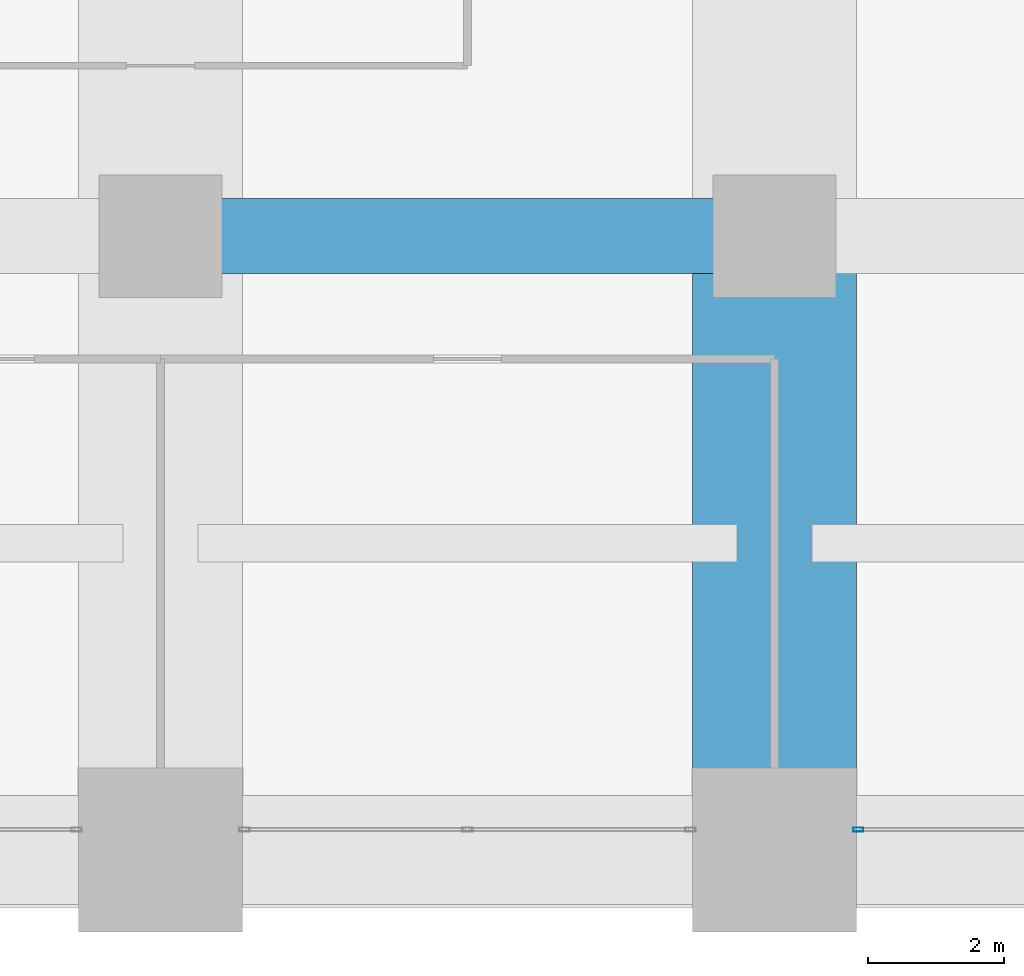
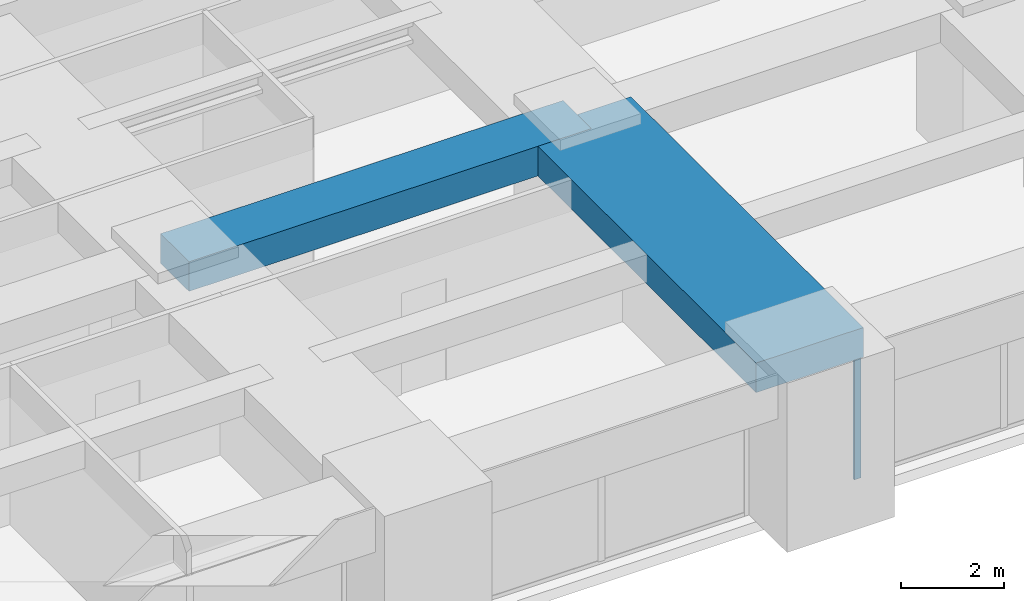
# One storey, part 7 of 43: 2 beams, 1 member, 1 element without a shape of its own.
"""IFC4 building model written with IfcOpenShell, lengths in metres."""

import ifcopenshell
import ifcopenshell.guid

model = None  # the IFC model being written
_history = None  # IfcOwnerHistory: only IFC2X3 demands one
_inside = {}  # id of a spatial element -> (the spatial element, [elements in it])
_under = {}  # id of a project, library or spatial element -> (it, [spatial elements below it])
_declared = {}  # id of a project -> (the project, [libraries it declares])
_typed = {}  # id of a type object -> (the type object, [elements of that type])
_made_of = {}  # id of a material, layer set ... -> (it, [elements and type objects made of it])


def new_model(schema):
    """Start an empty IFC model of exactly this schema.

    Asked for "IFC4X3", IfcOpenShell would pick the latest addendum, in which some entities
    have other attributes; the version numbers below select the first issue.
    IFC2X3 requires an IfcOwnerHistory on every rooted entity: one is made here for all.
    """
    global model, _history
    if schema == "IFC4X3":
        model = ifcopenshell.file(schema_version=(4, 3, 0, 0))
    else:
        model = ifcopenshell.file(schema=schema)
    _inside.clear()
    _under.clear()
    _declared.clear()
    _typed.clear()
    _made_of.clear()
    _history = None
    if model.schema == "IFC2X3":
        org = make("IfcOrganization", Name="unknown")
        user = make(
            "IfcPersonAndOrganization",
            ThePerson=make("IfcPerson", FamilyName="unknown"),
            TheOrganization=org,
        )
        app = make(
            "IfcApplication",
            ApplicationDeveloper=org,
            Version="unknown",
            ApplicationFullName="unknown",
            ApplicationIdentifier="unknown",
        )
        _history = make(
            "IfcOwnerHistory",
            OwningUser=user,
            OwningApplication=app,
            ChangeAction="ADDED",
            CreationDate=0,
        )
    return model


def make(cls, **values):
    """One entity of the class cls with the attributes given. An attribute that is None is left unset."""
    return model.create_entity(
        cls, **{name: value for name, value in values.items() if value is not None}
    )


def rooted(cls, **values):
    """An entity with a GlobalId (a new one), such as an element, a storey or a relation."""
    return make(cls, GlobalId=ifcopenshell.guid.new(), OwnerHistory=_history, **values)


def si_unit(unit_type, name, prefix=None):
    """IfcSIUnit, for example si_unit("LENGTHUNIT", "METRE", prefix="MILLI")."""
    return make("IfcSIUnit", UnitType=unit_type, Prefix=prefix, Name=name)


def assignment(units):
    """IfcUnitAssignment: the units of a project."""
    return None if units is None else make("IfcUnitAssignment", Units=units)


def point(xyz):
    """IfcCartesianPoint."""
    return None if xyz is None else make("IfcCartesianPoint", Coordinates=xyz)


def direction(xyz):
    """IfcDirection."""
    return None if xyz is None else make("IfcDirection", DirectionRatios=xyz)


def frame(location, z_axis=None, x_axis=None):
    """IfcAxis2Placement3D, a coordinate frame: its origin and axes. An axis left out is left unset."""
    return make(
        "IfcAxis2Placement3D",
        Location=point(location),
        Axis=direction(z_axis),
        RefDirection=direction(x_axis),
    )


def frame_2d(location, x_axis=None):
    """IfcAxis2Placement2D, a coordinate frame in the plane: its origin and x axis."""
    return make(
        "IfcAxis2Placement2D", Location=point(location), RefDirection=direction(x_axis)
    )


def origin():
    """The frame at (0, 0, 0) with its axes left unset."""
    return frame((0.0, 0.0, 0.0))


def origin_2d():
    """The frame at (0, 0) in the plane with its x axis left unset."""
    return frame_2d((0.0, 0.0))


def place(relative_to, where):
    """IfcLocalPlacement: puts the frame where relative to a parent placement (None: the world)."""
    return make(
        "IfcLocalPlacement", PlacementRelTo=relative_to, RelativePlacement=where
    )


def context(
    kind, dimensions, precision=None, world=None, true_north=None, identifier=None
):
    """IfcGeometricRepresentationContext, for example the 3D "Model" context."""
    return make(
        "IfcGeometricRepresentationContext",
        ContextIdentifier=identifier,
        ContextType=kind,
        CoordinateSpaceDimension=dimensions,
        Precision=precision,
        WorldCoordinateSystem=world,
        TrueNorth=true_north,
    )


def subcontext(parent, identifier, kind, view, scale=None):
    """IfcGeometricRepresentationSubContext, for example "Body" below "Model"."""
    return make(
        "IfcGeometricRepresentationSubContext",
        ContextIdentifier=identifier,
        ContextType=kind,
        ParentContext=parent,
        TargetScale=scale,
        TargetView=view,
    )


def project(units=None, contexts=None):
    """IfcProject with its units and contexts."""
    return rooted(
        "IfcProject",
        Name="project",
        RepresentationContexts=contexts,
        UnitsInContext=assignment(units),
    )


def spatial(cls, under=None, at=None, **own):
    """A site, building, storey or space (cls), placed at a placement, below another one or the project."""
    s = rooted(cls, ObjectPlacement=at, **own)
    if under is not None:
        _under.setdefault(under.id(), (under, []))[1].append(s)
    return s


def profile(cls, at=None, kind="AREA", **sizes):
    """A parametric profile (cls). Its sizes go by their IFC names, for example OverallWidth=200.0."""
    return make(cls, ProfileType=kind, Position=at, **sizes)


def rectangle(**sizes):
    """IfcRectangleProfileDef."""
    return profile("IfcRectangleProfileDef", **sizes)


def hollow_rectangle(**sizes):
    """IfcRectangleHollowProfileDef."""
    return profile("IfcRectangleHollowProfileDef", **sizes)


def extrude(swept, where, along, depth):
    """IfcExtrudedAreaSolid: the profile swept, set in the frame where, extruded along a direction by depth."""
    return make(
        "IfcExtrudedAreaSolid",
        SweptArea=swept,
        Position=where,
        ExtrudedDirection=direction(along),
        Depth=depth,
    )


def shape(context_of_items, identifier, shape_type, items):
    """IfcShapeRepresentation: the items that make up one representation, for example the "Body"."""
    return make(
        "IfcShapeRepresentation",
        ContextOfItems=context_of_items,
        RepresentationIdentifier=identifier,
        RepresentationType=shape_type,
        Items=items,
    )


def material(Name=None, Category=None):
    """IfcMaterial."""
    return make("IfcMaterial", Name=Name, Category=Category)


def material_profile(
    of_material, cross_section, Name=None, Category=None, Priority=None
):
    """IfcMaterialProfile: a cross section and its material."""
    return make(
        "IfcMaterialProfile",
        Name=Name,
        Material=of_material,
        Profile=cross_section,
        Priority=Priority,
        Category=Category,
    )


def profile_set(profiles, Name=None, composite=None):
    """IfcMaterialProfileSet."""
    return make(
        "IfcMaterialProfileSet",
        Name=Name,
        MaterialProfiles=profiles,
        CompositeProfile=composite,
    )


def made_of(thing, what):
    """Note that an element or type object is made of a material, layer set ...; save() writes the relation."""
    if what is not None:
        _made_of.setdefault(what.id(), (what, []))[1].append(thing)
    return thing


def type_object(cls, material=None, **own):
    """A type object (cls), such as IfcWallType, which elements share."""
    return made_of(rooted(cls, **own), material)


def element(
    cls,
    number,
    at=None,
    inside=None,
    cuts=None,
    type_object=None,
    material=None,
    context=None,
    identifier="Body",
    shape_type=None,
    held_by="IfcProductDefinitionShape",
    body=None,
    shapes=None,
    **own,
):
    """One element of the class cls, such as IfcWall. Its Tag is "e" and its number.

    at: its placement. inside: the storey or other place that contains it. cuts: it is an
    opening in that element (IfcRelVoidsElement). A single representation is given by context,
    identifier, shape_type and body (its items); several are given by shapes. held_by: the class
    of the entity that holds the representations. save() writes the other relations.
    """
    e = rooted(cls, Tag="e%d" % number, ObjectPlacement=at, **own)
    if body is not None:
        shapes = [shape(context, identifier, shape_type, body)]
    if shapes is not None:
        e.Representation = make(held_by, Representations=shapes)
    if inside is not None:
        _inside.setdefault(inside.id(), (inside, []))[1].append(e)
    if cuts is not None:
        rooted(
            "IfcRelVoidsElement", RelatingBuildingElement=cuts, RelatedOpeningElement=e
        )
    if type_object is not None:
        _typed.setdefault(type_object.id(), (type_object, []))[1].append(e)
    return made_of(e, material)


def aggregate(whole, parts):
    """IfcRelAggregates: a whole, such as a stair, and the parts it consists of."""
    return rooted("IfcRelAggregates", RelatingObject=whole, RelatedObjects=parts)


def save(model, path):
    """Write the relations noted so far, then the file.

    IfcRelAggregates (storeys below a building ...), IfcRelContainedInSpatialStructure (elements
    in a storey), IfcRelDefinesByType, IfcRelAssociatesMaterial and IfcRelDeclares: one each for
    every whole, place, type object, material and project.
    """
    for whole, parts in _under.values():
        aggregate(whole, parts)
    for where, things in _inside.values():
        rooted(
            "IfcRelContainedInSpatialStructure",
            RelatedElements=things,
            RelatingStructure=where,
        )
    for kind, things in _typed.values():
        rooted("IfcRelDefinesByType", RelatedObjects=things, RelatingType=kind)
    for what, things in _made_of.values():
        rooted("IfcRelAssociatesMaterial", RelatedObjects=things, RelatingMaterial=what)
    for by, libraries in _declared.values():
        rooted("IfcRelDeclares", RelatingContext=by, RelatedDefinitions=libraries)
    model.write(path)


model = new_model("IFC4")

# Units and contexts
model_context = context("Model", 3, precision=1e-05, world=origin(), true_north=direction((0.0, 1.0)))
body_context = subcontext(model_context, "Body", "Model", "MODEL_VIEW")
ifc_project = project(units=[si_unit("LENGTHUNIT", "METRE"), si_unit("AREAUNIT", "SQUARE_METRE"), si_unit("VOLUMEUNIT", "CUBIC_METRE"), si_unit("PLANEANGLEUNIT", "RADIAN"), si_unit("MASSUNIT", "GRAM", prefix="KILO")], contexts=[model_context])

# Site, building, storey
site_placement = place(None, origin())
site = spatial("IfcSite", under=ifc_project, at=site_placement, CompositionType="ELEMENT")
building_placement = place(site_placement, origin())
building = spatial("IfcBuilding", under=site, at=building_placement, Name="Zorevar Civic Tower", CompositionType="ELEMENT")
storey_placement = place(building_placement, frame((0.0, 0.0, 145.0)))
storey = spatial("IfcBuildingStorey", under=building, at=storey_placement, Name="L35", CompositionType="ELEMENT", Elevation=145.0)

# Beams
ifc_material_1 = material(Name="Concrete C50/60", Category="concrete")
ifc_material_profile_1 = material_profile(ifc_material_1, rectangle(XDim=1.10009765625, YDim=0.699951171875, at=origin_2d()), Name="RC 1100x700")
ifc_profile_set_1 = profile_set([ifc_material_profile_1], Name="Concrete C50/60")
beam_type_1 = type_object("IfcBeamType", Name="Beam RC 1100x700", PredefinedType="BEAM", material=ifc_profile_set_1)
beam_1_placement = place(storey_placement, frame((18.0, 9.0, 3.39990234375), z_axis=(1.0, 0.0, 0.0), x_axis=(0.0, 1.0, 0.0)))
element("IfcBeam", 1, at=beam_1_placement, inside=storey, type_object=beam_type_1, Name="Girder L36", PredefinedType="BEAM", context=body_context, shape_type="SweptSolid", body=[
    extrude(rectangle(XDim=1.10009765625, YDim=0.699951171875, at=origin_2d()), origin(), (0.0, 0.0, 1.0), 9.0),
])
ifc_material_2 = material(Name="Concrete C50/60", Category="concrete")
ifc_material_profile_2 = material_profile(ifc_material_2, rectangle(XDim=2.39990234375, YDim=0.699951171875, at=origin_2d()), Name="RC 2400x700")
ifc_profile_set_2 = profile_set([ifc_material_profile_2], Name="Concrete C50/60")
beam_type_2 = type_object("IfcBeamType", Name="Beam RC 2400x700", PredefinedType="BEAM", material=ifc_profile_set_2)
beam_2_placement = place(storey_placement, frame((27.0, 0.0, 3.39990234375), z_axis=(0.0, 1.0, 0.0), x_axis=(-1.0, 0.0, 0.0)))
element("IfcBeam", 2, at=beam_2_placement, inside=storey, type_object=beam_type_2, Name="Girder L36", PredefinedType="BEAM", context=body_context, shape_type="SweptSolid", body=[
    extrude(rectangle(XDim=2.39990234375, YDim=0.699951171875, at=origin_2d()), origin(), (0.0, 0.0, 1.0), 9.0),
])

# Curtain wall, member
ifc_material_3 = material(Name="Dark grey solar-control glass in black aluminium frame", Category="aluminium")
curtain_wall_type = type_object("IfcCurtainWallType", Name="Curtain wall CW3 mid zone", PredefinedType="NOTDEFINED", material=ifc_material_3)
curtain_wall_placement = place(storey_placement, origin())
curtain_wall = element("IfcCurtainWall", 3, at=curtain_wall_placement, inside=storey, type_object=curtain_wall_type, Name="CW3 L35", PredefinedType="NOTDEFINED")
ifc_material_4 = material(Name="Aluminium, black anodised", Category="aluminium")
ifc_material_profile_3 = material_profile(ifc_material_4, hollow_rectangle(XDim=0.06005859375, YDim=0.14990234375, WallThickness=0.00390625, at=origin_2d()), Name="AL 150x60x4")
ifc_profile_set_3 = profile_set([ifc_material_profile_3], Name="Aluminium, black anodised")
member_type = type_object("IfcMemberType", Name="CW3 mullion AL 150x60x4", PredefinedType="MULLION", material=ifc_profile_set_3)
member_placement = place(storey_placement, frame((28.22998046875, 0.300048828125, 0.0), z_axis=(0.0, 0.0, 1.0), x_axis=(0.0, 1.0, 0.0)))
member = element("IfcMember", 4, at=member_placement, type_object=member_type, Name="CW3 mullion 1", PredefinedType="MULLION", context=body_context, shape_type="SweptSolid", body=[
    extrude(hollow_rectangle(XDim=0.06005859375, YDim=0.14990234375, WallThickness=0.00390625, at=origin_2d()), origin(), (0.0, 0.0, 1.0), 2.949951171875),
])
aggregate(curtain_wall, [member])

save(model, "model.ifc")
